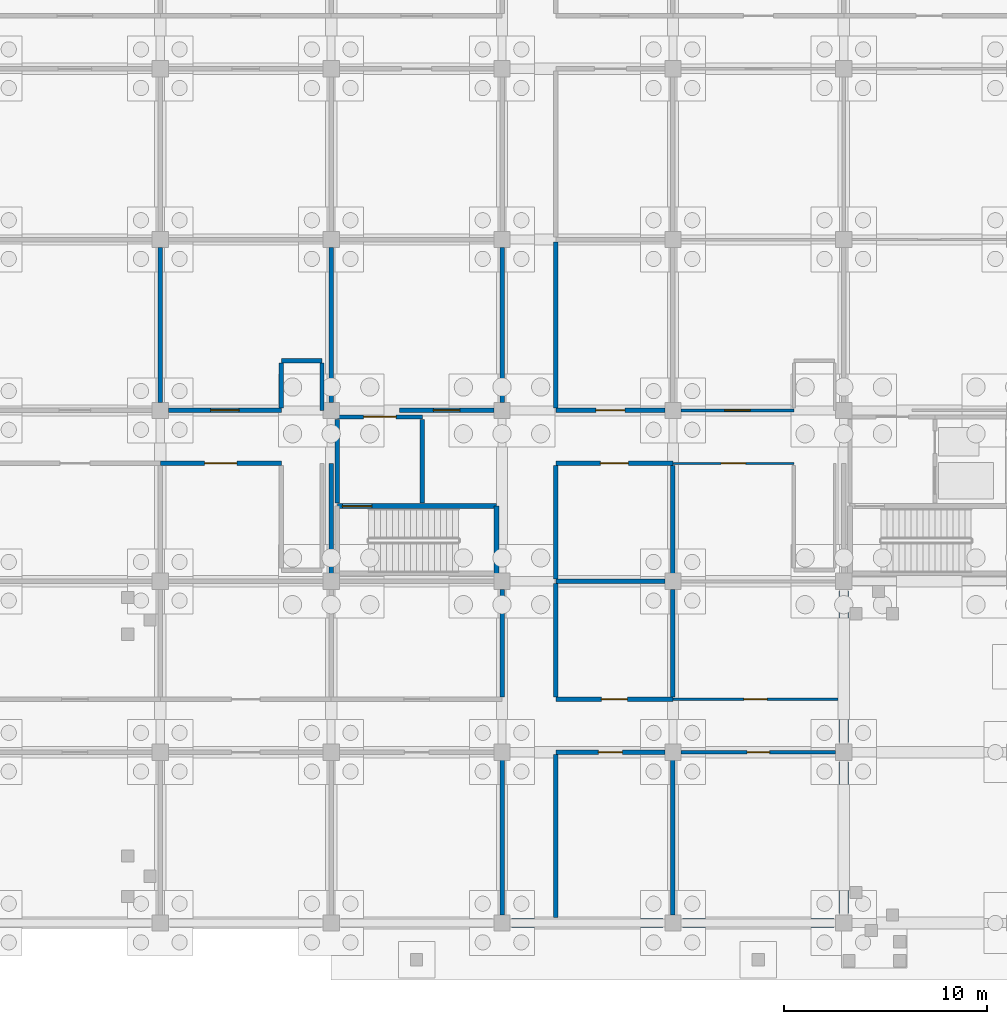
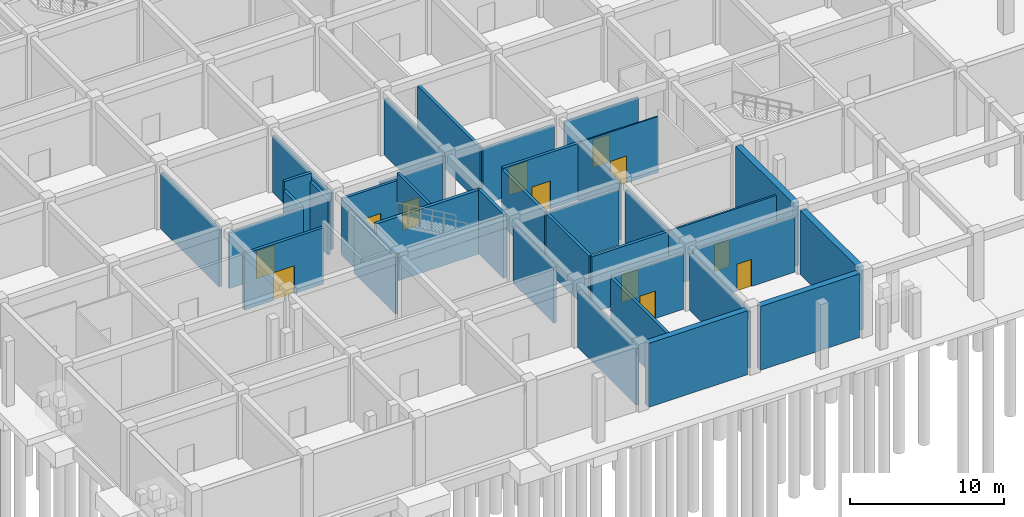
# One storey, part 28 of 65: 37 walls, 13 doors, 13 openings.
"""IFC4 building model written with IfcOpenShell, lengths in metres."""

from ifc_helpers import new_model, si_unit, direction, frame, frame_2d, origin, place, context, subcontext, project, spatial, rectangle, extrude, material, layer, layer_set, type_object, element, fill, save


model = new_model("IFC4")

# Units and contexts
model_context = context("Model", 3, precision=1e-05, world=origin(), true_north=direction((0.0, 1.0)))
body_context = subcontext(model_context, "Body", "Model", "MODEL_VIEW")
ifc_project = project(units=[si_unit("LENGTHUNIT", "METRE"), si_unit("AREAUNIT", "SQUARE_METRE"), si_unit("VOLUMEUNIT", "CUBIC_METRE"), si_unit("PLANEANGLEUNIT", "RADIAN"), si_unit("MASSUNIT", "GRAM", prefix="KILO")], contexts=[model_context])

# Site, building, storey
site_placement = place(None, origin())
site = spatial("IfcSite", under=ifc_project, at=site_placement, CompositionType="ELEMENT")
building_placement = place(site_placement, origin())
building = spatial("IfcBuilding", under=site, at=building_placement, Name="Bramfleet General Hospital", CompositionType="ELEMENT")
storey_placement = place(building_placement, frame((0.0, 0.0, -5.39990234375)))
storey = spatial("IfcBuildingStorey", under=building, at=storey_placement, Name="B1", CompositionType="ELEMENT", Elevation=-5.39990234375)

# Walls
ifc_material_1 = material(Name="Concrete C35/45", Category="concrete")
ifc_layer_1 = layer(ifc_material_1, 0.449951171875, Name="WT-EW-01")
ifc_layer_set_1 = layer_set([ifc_layer_1], Name="Concrete C35/45")
wall_type_1 = type_object("IfcWallType", Name="WT-EW-01", PredefinedType="SOLIDWALL", material=ifc_layer_set_1)
for number, where, z_axis, x_axis, name in (
    (1, (50.39990234375, 16.324951171875, 0.0), (0.0, 0.0, 1.0), (0.0, -1.0, 0.0), "B1 Waterproof Retaining Wall 82"),
    (2, (50.39990234375, 7.925048828125, 0.0), (0.0, 0.0, 1.0), (0.0, -1.0, 0.0), "B1 Waterproof Retaining Wall 83"),
    (3, (49.925048828125, 0.0, 0.0), (0.0, 0.0, 1.0), (-1.0, 0.0, 0.0), "B1 Waterproof Retaining Wall 84"),
    (4, (41.52490234375, 0.0, 0.0), (0.0, 0.0, 1.0), (-1.0, 0.0, 0.0), "B1 Waterproof Retaining Wall 85"),
):
    element("IfcWall", number, at=place(storey_placement, frame(where, z_axis=z_axis, x_axis=x_axis)), inside=storey, type_object=wall_type_1, Name=name, PredefinedType="SOLIDWALL", context=body_context, shape_type="SweptSolid", body=[
        extrude(rectangle(XDim=7.449951171875, YDim=0.449951171875, at=frame_2d((3.72509765625, 0.0))), origin(), (0.0, 0.0, 1.0), 5.079833984375),
    ])

# Wall, opening, door
ifc_layer_2 = layer(ifc_material_1, 0.219970703125, Name="WT-IW-01")
ifc_layer_set_2 = layer_set([ifc_layer_2], Name="Concrete C35/45")
wall_type_2 = type_object("IfcWallType", Name="WT-IW-01", PredefinedType="PARTITIONING", material=ifc_layer_set_2)
wall_1_placement = place(storey_placement, frame((36.25, 8.39990234375, 0.0), z_axis=(0.0, 0.0, 1.0), x_axis=(1.0, 0.0, 0.0)))
wall_1 = element("IfcWall", 5, at=wall_1_placement, inside=storey, type_object=wall_type_2, Name="B1 Interior Partition IW-B1-0005", PredefinedType="PARTITIONING", context=body_context, shape_type="SweptSolid", body=[
    extrude(rectangle(XDim=5.35498046875, YDim=0.219970703125, at=frame_2d((2.677490234375, 0.0))), origin(), (0.0, 0.0, 1.0), 4.419921875),
])
opening_1_placement = place(wall_1_placement, frame((2.08740234375, 0.0, 0.0)))
opening_1 = element("IfcOpeningElement", 6, at=opening_1_placement, cuts=wall_1, Name="Opening D0252", PredefinedType="OPENING", context=body_context, shape_type="SweptSolid", body=[
    extrude(rectangle(XDim=1.179931640625, YDim=2.179931640625, at=frame_2d((0.58984375, 1.08984375))), frame((0.0, 0.119873046875, 0.0), z_axis=(0.0, -1.0, 0.0), x_axis=(1.0, 0.0, 0.0)), (0.0, 0.0, 1.0), 0.239990234375),
])
ifc_material_2 = material(Name="Stainless steel and acoustic timber leaf", Category="steel")
door_type_1 = type_object("IfcDoorType", Name="DR-D-28", OperationType="NOTDEFINED", PredefinedType="DOOR", material=ifc_material_2)
door_1_placement = place(opening_1_placement, origin())
door_1 = element("IfcDoor", 7, at=door_1_placement, inside=storey, type_object=door_type_1, Name="Standby Power Plant and Switchgear B1-0400 Door D0252", OperationType="SINGLE_SWING_LEFT", OverallHeight=2.179931640625, OverallWidth=1.179931640625, PredefinedType="DOOR", context=body_context, shape_type="SweptSolid", body=[
    extrude(rectangle(XDim=1.179931640625, YDim=2.179931640625, at=frame_2d((0.58984375, 1.08984375))), frame((0.0, 0.02490234375, 0.0), z_axis=(0.0, -1.0, 0.0), x_axis=(1.0, 0.0, 0.0)), (0.0, 0.0, 1.0), 0.050048828125),
])
fill(opening_1, door_1)

wall_2_placement = place(storey_placement, frame((36.25, 11.0, 0.0), z_axis=(0.0, 0.0, 1.0), x_axis=(1.0, 0.0, 0.0)))
wall_2 = element("IfcWall", 8, at=wall_2_placement, inside=storey, type_object=wall_type_2, Name="B1 Interior Partition IW-B1-0031", PredefinedType="PARTITIONING", context=body_context, shape_type="SweptSolid", body=[
    extrude(rectangle(XDim=5.75, YDim=0.219970703125, at=frame_2d((2.875, 0.0))), origin(), (0.0, 0.0, 1.0), 4.469970703125),
])
opening_2_placement = place(wall_2_placement, frame((2.235107421875, 0.0, 0.0)))
opening_2 = element("IfcOpeningElement", 9, at=opening_2_placement, cuts=wall_2, Name="Opening D0253", PredefinedType="OPENING", context=body_context, shape_type="SweptSolid", body=[
    extrude(rectangle(XDim=1.280029296875, YDim=2.179931640625, at=frame_2d((0.64013671875, 1.08984375))), frame((0.0, 0.119873046875, 0.0), z_axis=(0.0, -1.0, 0.0), x_axis=(1.0, 0.0, 0.0)), (0.0, 0.0, 1.0), 0.239990234375),
])
door_type_2 = type_object("IfcDoorType", Name="DR-D-29", OperationType="NOTDEFINED", PredefinedType="DOOR", material=ifc_material_2)
door_2_placement = place(opening_2_placement, origin())
door_2 = element("IfcDoor", 10, at=door_2_placement, inside=storey, type_object=door_type_2, Name="Standby Power Plant and Switchgear B1-0401 Door D0253", OperationType="SINGLE_SWING_RIGHT", OverallHeight=2.179931640625, OverallWidth=1.280029296875, PredefinedType="DOOR", context=body_context, shape_type="SweptSolid", body=[
    extrude(rectangle(XDim=1.280029296875, YDim=2.179931640625, at=frame_2d((0.64013671875, 1.08984375))), frame((0.0, 0.02490234375, 0.0), z_axis=(0.0, -1.0, 0.0), x_axis=(1.0, 0.0, 0.0)), (0.0, 0.0, 1.0), 0.050048828125),
])
fill(opening_2, door_2)

# Wall
wall_3_placement = place(storey_placement, frame((36.25, 16.800048828125, 0.0), z_axis=(0.0, 0.0, 1.0), x_axis=(1.0, 0.0, 0.0)))
element("IfcWall", 11, at=wall_3_placement, inside=storey, type_object=wall_type_2, Name="B1 Interior Partition IW-B1-0054", PredefinedType="PARTITIONING", context=body_context, shape_type="SweptSolid", body=[
    extrude(rectangle(XDim=5.35498046875, YDim=0.219970703125, at=frame_2d((2.677490234375, 0.0))), origin(), (0.0, 0.0, 1.0), 4.419921875),
])

# Wall, opening, door
wall_4_placement = place(storey_placement, frame((16.800048828125, 22.60009765625, 0.0), z_axis=(0.0, 0.0, 1.0), x_axis=(1.0, 0.0, 0.0)))
wall_4 = element("IfcWall", 12, at=wall_4_placement, inside=storey, type_object=wall_type_2, Name="B1 Interior Partition IW-B1-0082", PredefinedType="PARTITIONING", context=body_context, shape_type="SweptSolid", body=[
    extrude(rectangle(XDim=5.949951171875, YDim=0.219970703125, at=frame_2d((2.97509765625, 0.0))), origin(), (0.0, 0.0, 1.0), 4.469970703125),
])
opening_3_placement = place(wall_4_placement, frame((2.18505859375, 0.0, 0.0)))
opening_3 = element("IfcOpeningElement", 13, at=opening_3_placement, cuts=wall_4, Name="Opening D0224", PredefinedType="OPENING", context=body_context, shape_type="SweptSolid", body=[
    extrude(rectangle(XDim=1.580078125, YDim=2.219970703125, at=frame_2d((0.7900390625, 1.10986328125))), frame((0.0, 0.119873046875, 0.0), z_axis=(0.0, -1.0, 0.0), x_axis=(1.0, 0.0, 0.0)), (0.0, 0.0, 1.0), 0.239990234375),
])
door_type_3 = type_object("IfcDoorType", Name="DR-D-32", OperationType="NOTDEFINED", PredefinedType="DOOR", material=ifc_material_2)
door_3_placement = place(opening_3_placement, origin())
door_3 = element("IfcDoor", 14, at=door_3_placement, inside=storey, type_object=door_type_3, Name="Standby Power Plant and Switchgear B1-0202 Door D0224", OperationType="DOUBLE_SWING_LEFT", OverallHeight=2.219970703125, OverallWidth=1.580078125, PredefinedType="DOOR", context=body_context, shape_type="SweptSolid", body=[
    extrude(rectangle(XDim=1.580078125, YDim=2.219970703125, at=frame_2d((0.7900390625, 1.10986328125))), frame((0.0, 0.02490234375, 0.0), z_axis=(0.0, -1.0, 0.0), x_axis=(1.0, 0.0, 0.0)), (0.0, 0.0, 1.0), 0.050048828125),
])
fill(opening_3, door_3)

wall_5_placement = place(storey_placement, frame((36.25, 22.60009765625, 0.0), z_axis=(0.0, 0.0, 1.0), x_axis=(1.0, 0.0, 0.0)))
wall_5 = element("IfcWall", 15, at=wall_5_placement, inside=storey, type_object=wall_type_2, Name="B1 Interior Partition IW-B1-0083", PredefinedType="PARTITIONING", context=body_context, shape_type="SweptSolid", body=[
    extrude(rectangle(XDim=5.75, YDim=0.219970703125, at=frame_2d((2.875, 0.0))), origin(), (0.0, 0.0, 1.0), 4.469970703125),
])
opening_4_placement = place(wall_5_placement, frame((2.18505859375, 0.0, 0.0)))
opening_4 = element("IfcOpeningElement", 16, at=opening_4_placement, cuts=wall_5, Name="Opening D0254", PredefinedType="OPENING", context=body_context, shape_type="SweptSolid", body=[
    extrude(rectangle(XDim=1.3798828125, YDim=2.219970703125, at=frame_2d((0.68994140625, 1.10986328125))), frame((0.0, 0.119873046875, 0.0), z_axis=(0.0, -1.0, 0.0), x_axis=(1.0, 0.0, 0.0)), (0.0, 0.0, 1.0), 0.239990234375),
])
door_type_4 = type_object("IfcDoorType", Name="DR-D-30", OperationType="NOTDEFINED", PredefinedType="DOOR", material=ifc_material_2)
door_4_placement = place(opening_4_placement, origin())
door_4 = element("IfcDoor", 17, at=door_4_placement, inside=storey, type_object=door_type_4, Name="Standby Power Plant and Switchgear B1-0402 Door D0254", OperationType="SINGLE_SWING_LEFT", OverallHeight=2.219970703125, OverallWidth=1.3798828125, PredefinedType="DOOR", context=body_context, shape_type="SweptSolid", body=[
    extrude(rectangle(XDim=1.3798828125, YDim=2.219970703125, at=frame_2d((0.68994140625, 1.10986328125))), frame((0.0, 0.02490234375, 0.0), z_axis=(0.0, -1.0, 0.0), x_axis=(1.0, 0.0, 0.0)), (0.0, 0.0, 1.0), 0.050048828125),
])
fill(opening_4, door_4)

wall_6_placement = place(storey_placement, frame((17.195068359375, 25.199951171875, 0.0), z_axis=(0.0, 0.0, 1.0), x_axis=(1.0, 0.0, 0.0)))
wall_6 = element("IfcWall", 18, at=wall_6_placement, inside=storey, type_object=wall_type_2, Name="B1 Interior Partition IW-B1-0102", PredefinedType="PARTITIONING", context=body_context, shape_type="SweptSolid", body=[
    extrude(rectangle(XDim=5.554931640625, YDim=0.219970703125, at=frame_2d((2.77734375, 0.0))), origin(), (0.0, 0.0, 1.0), 4.419921875),
])
opening_5_placement = place(wall_6_placement, frame((2.077392578125, 0.0, 0.0)))
opening_5 = element("IfcOpeningElement", 19, at=opening_5_placement, cuts=wall_6, Name="Opening D0225", PredefinedType="OPENING", context=body_context, shape_type="SweptSolid", body=[
    extrude(rectangle(XDim=1.39990234375, YDim=2.199951171875, at=frame_2d((0.699951171875, 1.10009765625))), frame((0.0, 0.119873046875, 0.0), z_axis=(0.0, -1.0, 0.0), x_axis=(1.0, 0.0, 0.0)), (0.0, 0.0, 1.0), 0.239990234375),
])
door_type_5 = type_object("IfcDoorType", Name="DR-D-01", OperationType="NOTDEFINED", PredefinedType="DOOR", material=ifc_material_2)
door_5_placement = place(opening_5_placement, origin())
door_5 = element("IfcDoor", 20, at=door_5_placement, inside=storey, type_object=door_type_5, Name="Standby Power Plant and Switchgear B1-0203 Door D0225", OperationType="SINGLE_SWING_RIGHT", OverallHeight=2.199951171875, OverallWidth=1.39990234375, PredefinedType="DOOR", context=body_context, shape_type="SweptSolid", body=[
    extrude(rectangle(XDim=1.39990234375, YDim=2.199951171875, at=frame_2d((0.699951171875, 1.10009765625))), frame((0.0, 0.02490234375, 0.0), z_axis=(0.0, -1.0, 0.0), x_axis=(1.0, 0.0, 0.0)), (0.0, 0.0, 1.0), 0.050048828125),
])
fill(opening_5, door_5)

wall_7_placement = place(storey_placement, frame((28.550048828125, 25.199951171875, 0.0), z_axis=(0.0, 0.0, 1.0), x_axis=(1.0, 0.0, 0.0)))
wall_7 = element("IfcWall", 21, at=wall_7_placement, inside=storey, type_object=wall_type_2, Name="B1 Interior Partition IW-B1-0103", PredefinedType="PARTITIONING", context=body_context, shape_type="SweptSolid", body=[
    extrude(rectangle(XDim=4.655029296875, YDim=0.219970703125, at=frame_2d((2.32763671875, 0.0))), origin(), (0.0, 0.0, 1.0), 4.419921875),
])
opening_6_placement = place(wall_7_placement, frame((1.677490234375, 0.0, 0.0)))
opening_6 = element("IfcOpeningElement", 22, at=opening_6_placement, cuts=wall_7, Name="Opening D0239", PredefinedType="OPENING", context=body_context, shape_type="SweptSolid", body=[
    extrude(rectangle(XDim=1.300048828125, YDim=2.199951171875, at=frame_2d((0.64990234375, 1.10009765625))), frame((0.0, 0.119873046875, 0.0), z_axis=(0.0, -1.0, 0.0), x_axis=(1.0, 0.0, 0.0)), (0.0, 0.0, 1.0), 0.239990234375),
])
door_type_6 = type_object("IfcDoorType", Name="DR-D-15", OperationType="NOTDEFINED", PredefinedType="DOOR", material=ifc_material_2)
door_6_placement = place(opening_6_placement, origin())
door_6 = element("IfcDoor", 23, at=door_6_placement, inside=storey, type_object=door_type_6, Name="Standby Power Plant and Switchgear B1-0303 Door D0239", OperationType="SINGLE_SWING_RIGHT", OverallHeight=2.199951171875, OverallWidth=1.300048828125, PredefinedType="DOOR", context=body_context, shape_type="SweptSolid", body=[
    extrude(rectangle(XDim=1.300048828125, YDim=2.199951171875, at=frame_2d((0.64990234375, 1.10009765625))), frame((0.0, 0.02490234375, 0.0), z_axis=(0.0, -1.0, 0.0), x_axis=(1.0, 0.0, 0.0)), (0.0, 0.0, 1.0), 0.050048828125),
])
fill(opening_6, door_6)

wall_8_placement = place(storey_placement, frame((36.25, 25.199951171875, 0.0), z_axis=(0.0, 0.0, 1.0), x_axis=(1.0, 0.0, 0.0)))
wall_8 = element("IfcWall", 24, at=wall_8_placement, inside=storey, type_object=wall_type_2, Name="B1 Interior Partition IW-B1-0104", PredefinedType="PARTITIONING", context=body_context, shape_type="SweptSolid", body=[
    extrude(rectangle(XDim=5.35498046875, YDim=0.219970703125, at=frame_2d((2.677490234375, 0.0))), origin(), (0.0, 0.0, 1.0), 4.419921875),
])
opening_7_placement = place(wall_8_placement, frame((1.967529296875, 0.0, 0.0)))
opening_7 = element("IfcOpeningElement", 25, at=opening_7_placement, cuts=wall_8, Name="Opening D0255", PredefinedType="OPENING", context=body_context, shape_type="SweptSolid", body=[
    extrude(rectangle(XDim=1.419921875, YDim=2.219970703125, at=frame_2d((0.7099609375, 1.10986328125))), frame((0.0, 0.119873046875, 0.0), z_axis=(0.0, -1.0, 0.0), x_axis=(1.0, 0.0, 0.0)), (0.0, 0.0, 1.0), 0.239990234375),
])
door_type_7 = type_object("IfcDoorType", Name="DR-D-31", OperationType="NOTDEFINED", PredefinedType="DOOR", material=ifc_material_2)
door_7_placement = place(opening_7_placement, origin())
door_7 = element("IfcDoor", 26, at=door_7_placement, inside=storey, type_object=door_type_7, Name="Standby Power Plant and Switchgear B1-0403 Door D0255", OperationType="SINGLE_SWING_RIGHT", OverallHeight=2.219970703125, OverallWidth=1.419921875, PredefinedType="DOOR", context=body_context, shape_type="SweptSolid", body=[
    extrude(rectangle(XDim=1.419921875, YDim=2.219970703125, at=frame_2d((0.7099609375, 1.10986328125))), frame((0.0, 0.02490234375, 0.0), z_axis=(0.0, -1.0, 0.0), x_axis=(1.0, 0.0, 0.0)), (0.0, 0.0, 1.0), 0.050048828125),
])
fill(opening_7, door_7)

# Walls
wall_9_placement = place(storey_placement, frame((22.75, 27.64990234375, 0.0), z_axis=(0.0, 0.0, 1.0), x_axis=(1.0, 0.0, 0.0)))
element("IfcWall", 27, at=wall_9_placement, inside=storey, type_object=wall_type_2, Name="B1 Interior Partition IW-B1-0111", PredefinedType="PARTITIONING", context=body_context, shape_type="SweptSolid", body=[
    extrude(rectangle(XDim=2.0, YDim=0.219970703125, at=frame_2d((1.0, 0.0))), origin(), (0.0, 0.0, 1.0), 5.06982421875),
])
wall_10_placement = place(storey_placement, frame((16.800048828125, 25.594970703125, 0.0), z_axis=(0.0, 0.0, 1.0), x_axis=(0.0, 1.0, 0.0)))
element("IfcWall", 28, at=wall_10_placement, inside=storey, type_object=wall_type_2, Name="B1 Interior Partition IW-B1-0350", PredefinedType="PARTITIONING", context=body_context, shape_type="SweptSolid", body=[
    extrude(rectangle(XDim=7.610107421875, YDim=0.219970703125, at=frame_2d((3.80517578125, 0.0))), origin(), (0.0, 0.0, 1.0), 4.469970703125),
])
wall_11_placement = place(storey_placement, frame((22.75, 25.31494140625, 0.0), z_axis=(0.0, 0.0, 1.0), x_axis=(0.0, 1.0, 0.0)))
element("IfcWall", 29, at=wall_11_placement, inside=storey, type_object=wall_type_2, Name="B1 Interior Partition IW-B1-0364", PredefinedType="PARTITIONING", context=body_context, shape_type="SweptSolid", body=[
    extrude(rectangle(XDim=2.219970703125, YDim=0.219970703125, at=frame_2d((1.10986328125, 0.0))), origin(), (0.0, 0.0, 1.0), 4.419921875),
])
wall_12_placement = place(storey_placement, frame((24.75, 25.199951171875, 0.0), z_axis=(0.0, 0.0, 1.0), x_axis=(0.0, 1.0, 0.0)))
element("IfcWall", 30, at=wall_12_placement, inside=storey, type_object=wall_type_2, Name="B1 Interior Partition IW-B1-0366", PredefinedType="PARTITIONING", context=body_context, shape_type="SweptSolid", body=[
    extrude(rectangle(XDim=2.3349609375, YDim=0.219970703125, at=frame_2d((1.16748046875, 0.0))), origin(), (0.0, 0.0, 1.0), 4.419921875),
])
wall_13_placement = place(storey_placement, frame((25.199951171875, 17.195068359375, 0.0), z_axis=(0.0, 0.0, 1.0), x_axis=(0.0, 1.0, 0.0)))
element("IfcWall", 31, at=wall_13_placement, inside=storey, type_object=wall_type_2, Name="B1 Interior Partition IW-B1-0369", PredefinedType="PARTITIONING", context=body_context, shape_type="SweptSolid", body=[
    extrude(rectangle(XDim=5.405029296875, YDim=0.219970703125, at=frame_2d((2.70263671875, 0.0))), origin(), (0.0, 0.0, 1.0), 4.469970703125),
])
wall_14_placement = place(storey_placement, frame((25.199951171875, 25.594970703125, 0.0), z_axis=(0.0, 0.0, 1.0), x_axis=(0.0, 1.0, 0.0)))
element("IfcWall", 32, at=wall_14_placement, inside=storey, type_object=wall_type_2, Name="B1 Interior Partition IW-B1-0370", PredefinedType="PARTITIONING", context=body_context, shape_type="SweptSolid", body=[
    extrude(rectangle(XDim=7.610107421875, YDim=0.219970703125, at=frame_2d((3.80517578125, 0.0))), origin(), (0.0, 0.0, 1.0), 4.469970703125),
])
wall_15_placement = place(storey_placement, frame((33.60009765625, 0.39501953125, 0.0), z_axis=(0.0, 0.0, 1.0), x_axis=(0.0, 1.0, 0.0)))
element("IfcWall", 33, at=wall_15_placement, inside=storey, type_object=wall_type_2, Name="B1 Interior Partition IW-B1-0387", PredefinedType="PARTITIONING", context=body_context, shape_type="SweptSolid", body=[
    extrude(rectangle(XDim=7.60986328125, YDim=0.219970703125, at=frame_2d((3.804931640625, 0.0))), origin(), (0.0, 0.0, 1.0), 4.469970703125),
])
wall_16_placement = place(storey_placement, frame((33.60009765625, 11.114990234375, 0.0), z_axis=(0.0, 0.0, 1.0), x_axis=(0.0, 1.0, 0.0)))
element("IfcWall", 34, at=wall_16_placement, inside=storey, type_object=wall_type_2, Name="B1 Interior Partition IW-B1-0388", PredefinedType="PARTITIONING", context=body_context, shape_type="SweptSolid", body=[
    extrude(rectangle(XDim=5.2900390625, YDim=0.219970703125, at=frame_2d((2.64501953125, 0.0))), origin(), (0.0, 0.0, 1.0), 4.469970703125),
])
wall_17_placement = place(storey_placement, frame((33.60009765625, 25.594970703125, 0.0), z_axis=(0.0, 0.0, 1.0), x_axis=(0.0, 1.0, 0.0)))
element("IfcWall", 35, at=wall_17_placement, inside=storey, type_object=wall_type_2, Name="B1 Interior Partition IW-B1-0389", PredefinedType="PARTITIONING", context=body_context, shape_type="SweptSolid", body=[
    extrude(rectangle(XDim=7.610107421875, YDim=0.219970703125, at=frame_2d((3.80517578125, 0.0))), origin(), (0.0, 0.0, 1.0), 4.469970703125),
])
wall_18_placement = place(storey_placement, frame((36.25, 0.280029296875, 0.0), z_axis=(0.0, 0.0, 1.0), x_axis=(0.0, 1.0, 0.0)))
element("IfcWall", 36, at=wall_18_placement, inside=storey, type_object=wall_type_2, Name="B1 Interior Partition IW-B1-0401", PredefinedType="PARTITIONING", context=body_context, shape_type="SweptSolid", body=[
    extrude(rectangle(XDim=8.0048828125, YDim=0.219970703125, at=frame_2d((4.00244140625, 0.0))), origin(), (0.0, 0.0, 1.0), 4.419921875),
])
for number, where, z_axis, x_axis, name in (
    (37, (36.25, 11.114990234375, 0.0), (0.0, 0.0, 1.0), (0.0, 1.0, 0.0), "B1 Interior Partition IW-B1-0402"),
    (38, (36.25, 16.9150390625, 0.0), (0.0, 0.0, 1.0), (0.0, 1.0, 0.0), "B1 Interior Partition IW-B1-0403"),
):
    element("IfcWall", number, at=place(storey_placement, frame(where, z_axis=z_axis, x_axis=x_axis)), inside=storey, type_object=wall_type_2, Name=name, PredefinedType="PARTITIONING", context=body_context, shape_type="SweptSolid", body=[
        extrude(rectangle(XDim=5.570068359375, YDim=0.219970703125, at=frame_2d((2.78515625, 0.0))), origin(), (0.0, 0.0, 1.0), 4.419921875),
    ])
wall_19_placement = place(storey_placement, frame((36.25, 25.31494140625, 0.0), z_axis=(0.0, 0.0, 1.0), x_axis=(0.0, 1.0, 0.0)))
element("IfcWall", 39, at=wall_19_placement, inside=storey, type_object=wall_type_2, Name="B1 Interior Partition IW-B1-0404", PredefinedType="PARTITIONING", context=body_context, shape_type="SweptSolid", body=[
    extrude(rectangle(XDim=8.170166015625, YDim=0.219970703125, at=frame_2d((4.0849609375, 0.0))), origin(), (0.0, 0.0, 1.0), 4.419921875),
])
wall_20_placement = place(storey_placement, frame((42.0, 0.39501953125, 0.0), z_axis=(0.0, 0.0, 1.0), x_axis=(0.0, 1.0, 0.0)))
element("IfcWall", 40, at=wall_20_placement, inside=storey, type_object=wall_type_2, Name="B1 Interior Partition IW-B1-0415", PredefinedType="PARTITIONING", context=body_context, shape_type="SweptSolid", body=[
    extrude(rectangle(XDim=7.60986328125, YDim=0.219970703125, at=frame_2d((3.804931640625, 0.0))), origin(), (0.0, 0.0, 1.0), 4.469970703125),
])
for number, where, z_axis, x_axis, name in (
    (41, (42.0, 11.114990234375, 0.0), (0.0, 0.0, 1.0), (0.0, 1.0, 0.0), "B1 Interior Partition IW-B1-0416"),
    (42, (42.0, 17.195068359375, 0.0), (0.0, 0.0, 1.0), (0.0, 1.0, 0.0), "B1 Interior Partition IW-B1-0417"),
):
    element("IfcWall", number, at=place(storey_placement, frame(where, z_axis=z_axis, x_axis=x_axis)), inside=storey, type_object=wall_type_2, Name=name, PredefinedType="PARTITIONING", context=body_context, shape_type="SweptSolid", body=[
        extrude(rectangle(XDim=5.2900390625, YDim=0.219970703125, at=frame_2d((2.64501953125, 0.0))), origin(), (0.0, 0.0, 1.0), 4.469970703125),
    ])
ifc_layer_3 = layer(ifc_material_1, 0.205078125, Name="WT-IW-02")
ifc_layer_set_3 = layer_set([ifc_layer_3], Name="Concrete C35/45")
wall_type_3 = type_object("IfcWallType", Name="WT-IW-02", PredefinedType="PARTITIONING", material=ifc_layer_set_3)
wall_21_placement = place(storey_placement, frame((29.679931640625, 20.639892578125, 0.0), z_axis=(0.0, 0.0, 1.0), x_axis=(0.0, 1.0, 0.0)))
element("IfcWall", 43, at=wall_21_placement, inside=storey, type_object=wall_type_3, Name="B1 C7 Lobby East Shaft Wall", PredefinedType="PARTITIONING", context=body_context, shape_type="SweptSolid", body=[
    extrude(rectangle(XDim=4.1201171875, YDim=0.205078125, at=frame_2d((2.06005859375, 0.0))), origin(), (0.0, 0.0, 1.0), 5.06982421875),
])
wall_22_placement = place(storey_placement, frame((25.5, 20.639892578125, 0.0), z_axis=(0.0, 0.0, 1.0), x_axis=(0.0, 1.0, 0.0)))
element("IfcWall", 44, at=wall_22_placement, inside=storey, type_object=wall_type_3, Name="B1 C7 Lobby West Compartment Wall", PredefinedType="PARTITIONING", context=body_context, shape_type="SweptSolid", body=[
    extrude(rectangle(XDim=4.1201171875, YDim=0.205078125, at=frame_2d((2.06005859375, 0.0))), origin(), (0.0, 0.0, 1.0), 4.469970703125),
])

# Wall, opening, door
wall_23_placement = place(storey_placement, frame((25.5, 24.8798828125, 0.0), z_axis=(0.0, 0.0, 1.0), x_axis=(1.0, 0.0, 0.0)))
wall_23 = element("IfcWall", 45, at=wall_23_placement, inside=storey, type_object=wall_type_3, Name="B1 C7 Lobby North Compartment Wall", PredefinedType="PARTITIONING", context=body_context, shape_type="SweptSolid", body=[
    extrude(rectangle(XDim=4.179931640625, YDim=0.205078125, at=frame_2d((2.08984375, 0.0))), origin(), (0.0, 0.0, 1.0), 4.419921875),
])
opening_8_placement = place(wall_23_placement, frame((1.2900390625, 0.0, 0.0)))
opening_8 = element("IfcOpeningElement", 46, at=opening_8_placement, cuts=wall_23, Name="Opening D0092", PredefinedType="OPENING", context=body_context, shape_type="SweptSolid", body=[
    extrude(rectangle(XDim=1.60009765625, YDim=2.25, at=frame_2d((0.800048828125, 1.125))), frame((0.0, 0.112548828125, 0.0), z_axis=(0.0, -1.0, 0.0), x_axis=(1.0, 0.0, 0.0)), (0.0, 0.0, 1.0), 0.22509765625),
])
door_type_8 = type_object("IfcDoorType", Name="DR-D-04", OperationType="NOTDEFINED", PredefinedType="DOOR", material=ifc_material_2)
door_8_placement = place(opening_8_placement, origin())
door_8 = element("IfcDoor", 47, at=door_8_placement, inside=storey, type_object=door_type_8, Name="B1 C7 Lobby Fire Door D0092", OperationType="DOUBLE_SWING_LEFT", OverallHeight=2.25, OverallWidth=1.60009765625, PredefinedType="DOOR", context=body_context, shape_type="SweptSolid", body=[
    extrude(rectangle(XDim=1.60009765625, YDim=2.25, at=frame_2d((0.800048828125, 1.125))), frame((0.0, 0.02490234375, 0.0), z_axis=(0.0, -1.0, 0.0), x_axis=(1.0, 0.0, 0.0)), (0.0, 0.0, 1.0), 0.050048828125),
])
fill(opening_8, door_8)

ifc_material_3 = material(Name="Gypsum plasterboard on acoustic steel studs", Category="steel")
ifc_layer_4 = layer(ifc_material_3, 0.159912109375, Name="WT-IW-06")
ifc_layer_set_4 = layer_set([ifc_layer_4], Name="Gypsum plasterboard on acoustic steel studs")
wall_type_4 = type_object("IfcWallType", Name="WT-IW-06", PredefinedType="PARTITIONING", material=ifc_layer_set_4)
wall_24_placement = place(storey_placement, frame((42.39501953125, 8.39990234375, 0.0), z_axis=(0.0, 0.0, 1.0), x_axis=(1.0, 0.0, 0.0)))
wall_24 = element("IfcWall", 48, at=wall_24_placement, inside=storey, type_object=wall_type_4, Name="B1 Interior Partition IW-B1-0006", PredefinedType="PARTITIONING", context=body_context, shape_type="SweptSolid", body=[
    extrude(rectangle(XDim=7.60986328125, YDim=0.159912109375, at=frame_2d((3.804931640625, 0.0))), origin(), (0.0, 0.0, 1.0), 4.419921875),
])
opening_9_placement = place(wall_24_placement, frame((3.2548828125, 0.0, 0.0)))
opening_9 = element("IfcOpeningElement", 49, at=opening_9_placement, cuts=wall_24, Name="Opening D0267", PredefinedType="OPENING", context=body_context, shape_type="SweptSolid", body=[
    extrude(rectangle(XDim=1.10009765625, YDim=2.14990234375, at=frame_2d((0.550048828125, 1.074951171875))), frame((0.0, 0.08984375, 0.0), z_axis=(0.0, -1.0, 0.0), x_axis=(1.0, 0.0, 0.0)), (0.0, 0.0, 1.0), 0.179931640625),
])
door_type_9 = type_object("IfcDoorType", Name="DR-D-11", OperationType="NOTDEFINED", PredefinedType="DOOR", material=ifc_material_2)
door_9_placement = place(opening_9_placement, origin())
door_9 = element("IfcDoor", 50, at=door_9_placement, inside=storey, type_object=door_type_9, Name="Hospital Pharmacy Clean Preparation B1-0500 Door D0267", OperationType="SINGLE_SWING_RIGHT", OverallHeight=2.14990234375, OverallWidth=1.10009765625, PredefinedType="DOOR", context=body_context, shape_type="SweptSolid", body=[
    extrude(rectangle(XDim=1.10009765625, YDim=2.14990234375, at=frame_2d((0.550048828125, 1.074951171875))), frame((0.0, 0.02490234375, 0.0), z_axis=(0.0, -1.0, 0.0), x_axis=(1.0, 0.0, 0.0)), (0.0, 0.0, 1.0), 0.050048828125),
])
fill(opening_9, door_9)

ifc_layer_5 = layer(ifc_material_3, 0.139892578125, Name="WT-IW-08")
ifc_layer_set_5 = layer_set([ifc_layer_5], Name="Gypsum plasterboard on acoustic steel studs")
wall_type_5 = type_object("IfcWallType", Name="WT-IW-08", PredefinedType="PARTITIONING", material=ifc_layer_set_5)
wall_25_placement = place(storey_placement, frame((42.0, 11.0, 0.0), z_axis=(0.0, 0.0, 1.0), x_axis=(1.0, 0.0, 0.0)))
wall_25 = element("IfcWall", 51, at=wall_25_placement, inside=storey, type_object=wall_type_5, Name="B1 Interior Partition IW-B1-0032", PredefinedType="PARTITIONING", context=body_context, shape_type="SweptSolid", body=[
    extrude(rectangle(XDim=8.1201171875, YDim=0.139892578125, at=frame_2d((4.06005859375, 0.0))), origin(), (0.0, 0.0, 1.0), 4.469970703125),
])
opening_10_placement = place(wall_25_placement, frame((3.485107421875, 0.0, 0.0)))
opening_10 = element("IfcOpeningElement", 52, at=opening_10_placement, cuts=wall_25, Name="Opening D0268", PredefinedType="OPENING", context=body_context, shape_type="SweptSolid", body=[
    extrude(rectangle(XDim=1.14990234375, YDim=2.14990234375, at=frame_2d((0.574951171875, 1.074951171875))), frame((0.0, 0.079833984375, 0.0), z_axis=(0.0, -1.0, 0.0), x_axis=(1.0, 0.0, 0.0)), (0.0, 0.0, 1.0), 0.159912109375),
])
door_type_10 = type_object("IfcDoorType", Name="DR-D-12", OperationType="NOTDEFINED", PredefinedType="DOOR", material=ifc_material_2)
door_10_placement = place(opening_10_placement, origin())
door_10 = element("IfcDoor", 53, at=door_10_placement, inside=storey, type_object=door_type_10, Name="Hospital Pharmacy Clean Preparation B1-0501 Door D0268", OperationType="SINGLE_SWING_LEFT", OverallHeight=2.14990234375, OverallWidth=1.14990234375, PredefinedType="DOOR", context=body_context, shape_type="SweptSolid", body=[
    extrude(rectangle(XDim=1.14990234375, YDim=2.14990234375, at=frame_2d((0.574951171875, 1.074951171875))), frame((0.0, 0.02490234375, 0.0), z_axis=(0.0, -1.0, 0.0), x_axis=(1.0, 0.0, 0.0)), (0.0, 0.0, 1.0), 0.050048828125),
])
fill(opening_10, door_10)

ifc_layer_6 = layer(ifc_material_3, 0.1298828125, Name="WT-IW-09")
ifc_layer_set_6 = layer_set([ifc_layer_6], Name="Gypsum plasterboard on acoustic steel studs")
wall_type_6 = type_object("IfcWallType", Name="WT-IW-09", PredefinedType="PARTITIONING", material=ifc_layer_set_6)
wall_26_placement = place(storey_placement, frame((42.39501953125, 25.199951171875, 0.0), z_axis=(0.0, 0.0, 1.0), x_axis=(1.0, 0.0, 0.0)))
wall_26 = element("IfcWall", 54, at=wall_26_placement, inside=storey, type_object=wall_type_6, Name="B1 Interior Partition IW-B1-0105", PredefinedType="PARTITIONING", context=body_context, shape_type="SweptSolid", body=[
    extrude(rectangle(XDim=5.554931640625, YDim=0.1298828125, at=frame_2d((2.77734375, 0.0))), origin(), (0.0, 0.0, 1.0), 4.419921875),
])
opening_11_placement = place(wall_26_placement, frame((2.152587890625, 0.0, 0.0)))
opening_11 = element("IfcOpeningElement", 55, at=opening_11_placement, cuts=wall_26, Name="Opening D0270", PredefinedType="OPENING", context=body_context, shape_type="SweptSolid", body=[
    extrude(rectangle(XDim=1.25, YDim=2.199951171875, at=frame_2d((0.625, 1.10009765625))), frame((0.0, 0.074951171875, 0.0), z_axis=(0.0, -1.0, 0.0), x_axis=(1.0, 0.0, 0.0)), (0.0, 0.0, 1.0), 0.14990234375),
])
door_type_11 = type_object("IfcDoorType", Name="DR-D-14", OperationType="NOTDEFINED", PredefinedType="DOOR", material=ifc_material_2)
door_11_placement = place(opening_11_placement, origin())
door_11 = element("IfcDoor", 56, at=door_11_placement, inside=storey, type_object=door_type_11, Name="Hospital Pharmacy Clean Preparation B1-0503 Door D0270", OperationType="SINGLE_SWING_LEFT", OverallHeight=2.199951171875, OverallWidth=1.25, PredefinedType="DOOR", context=body_context, shape_type="SweptSolid", body=[
    extrude(rectangle(XDim=1.25, YDim=2.199951171875, at=frame_2d((0.625, 1.10009765625))), frame((0.0, 0.02490234375, 0.0), z_axis=(0.0, -1.0, 0.0), x_axis=(1.0, 0.0, 0.0)), (0.0, 0.0, 1.0), 0.050048828125),
])
fill(opening_11, door_11)

ifc_layer_7 = layer(ifc_material_3, 0.10009765625, Name="WT-IW-12")
ifc_layer_set_7 = layer_set([ifc_layer_7], Name="Gypsum plasterboard on acoustic steel studs")
wall_type_7 = type_object("IfcWallType", Name="WT-IW-12", PredefinedType="PARTITIONING", material=ifc_layer_set_7)
wall_27_placement = place(storey_placement, frame((42.0, 22.60009765625, 0.0), z_axis=(0.0, 0.0, 1.0), x_axis=(1.0, 0.0, 0.0)))
wall_27 = element("IfcWall", 57, at=wall_27_placement, inside=storey, type_object=wall_type_7, Name="B1 Interior Partition IW-B1-0084", PredefinedType="PARTITIONING", context=body_context, shape_type="SweptSolid", body=[
    extrude(rectangle(XDim=5.949951171875, YDim=0.10009765625, at=frame_2d((2.97509765625, 0.0))), origin(), (0.0, 0.0, 1.0), 4.469970703125),
])
opening_12_placement = place(wall_27_placement, frame((2.375, 0.0, 0.0)))
opening_12 = element("IfcOpeningElement", 58, at=opening_12_placement, cuts=wall_27, Name="Opening D0269", PredefinedType="OPENING", context=body_context, shape_type="SweptSolid", body=[
    extrude(rectangle(XDim=1.199951171875, YDim=2.14990234375, at=frame_2d((0.60009765625, 1.074951171875))), frame((0.0, 0.06005859375, 0.0), z_axis=(0.0, -1.0, 0.0), x_axis=(1.0, 0.0, 0.0)), (0.0, 0.0, 1.0), 0.1201171875),
])
door_type_12 = type_object("IfcDoorType", Name="DR-D-13", OperationType="NOTDEFINED", PredefinedType="DOOR", material=ifc_material_2)
door_12_placement = place(opening_12_placement, origin())
door_12 = element("IfcDoor", 59, at=door_12_placement, inside=storey, type_object=door_type_12, Name="Hospital Pharmacy Clean Preparation B1-0502 Door D0269", OperationType="SINGLE_SWING_RIGHT", OverallHeight=2.14990234375, OverallWidth=1.199951171875, PredefinedType="DOOR", context=body_context, shape_type="SweptSolid", body=[
    extrude(rectangle(XDim=1.199951171875, YDim=2.14990234375, at=frame_2d((0.60009765625, 1.074951171875))), frame((0.0, 0.02490234375, 0.0), z_axis=(0.0, -1.0, 0.0), x_axis=(1.0, 0.0, 0.0)), (0.0, 0.0, 1.0), 0.050048828125),
])
fill(opening_12, door_12)

# Wall
ifc_material_4 = material(Name="Concrete C40/50", Category="concrete")
ifc_layer_8 = layer(ifc_material_4, 0.239990234375, Name="WT-SW-240")
ifc_layer_set_8 = layer_set([ifc_layer_8], Name="Concrete C40/50")
wall_type_8 = type_object("IfcWallType", Name="WT-SW-240", PredefinedType="SHEAR", material=ifc_layer_set_8)
wall_28_placement = place(storey_placement, frame((33.320068359375, 17.179931640625, 0.0), z_axis=(0.0, 0.0, 1.0), x_axis=(0.0, 1.0, 0.0)))
element("IfcWall", 60, at=wall_28_placement, inside=storey, type_object=wall_type_8, Name="B1 C7 East Stair Shear Wall", PredefinedType="SHEAR", context=body_context, shape_type="SweptSolid", body=[
    extrude(rectangle(XDim=3.320068359375, YDim=0.239990234375, at=frame_2d((1.66015625, 0.0))), origin(), (0.0, 0.0, 1.0), 5.079833984375),
])

# Wall, opening, door
wall_29_placement = place(storey_placement, frame((25.5, 20.5, 0.0), z_axis=(0.0, 0.0, 1.0), x_axis=(1.0, 0.0, 0.0)))
wall_29 = element("IfcWall", 61, at=wall_29_placement, inside=storey, type_object=wall_type_8, Name="B1 C7 Stair-Lobby Shear Wall", PredefinedType="SHEAR", context=body_context, shape_type="SweptSolid", body=[
    extrude(rectangle(XDim=7.820068359375, YDim=0.239990234375, at=frame_2d((3.91015625, 0.0))), origin(), (0.0, 0.0, 1.0), 5.079833984375),
])
opening_13_placement = place(wall_29_placement, frame((0.25, 0.0, 0.0)))
opening_13 = element("IfcOpeningElement", 62, at=opening_13_placement, cuts=wall_29, Name="Opening D0091", PredefinedType="OPENING", context=body_context, shape_type="SweptSolid", body=[
    extrude(rectangle(XDim=1.449951171875, YDim=2.199951171875, at=frame_2d((0.72509765625, 1.10009765625))), frame((0.0, 0.1298828125, 0.0), z_axis=(0.0, -1.0, 0.0), x_axis=(1.0, 0.0, 0.0)), (0.0, 0.0, 1.0), 0.260009765625),
])
door_type_13 = type_object("IfcDoorType", Name="DR-D-03", OperationType="NOTDEFINED", PredefinedType="DOOR", material=ifc_material_2)
door_13_placement = place(opening_13_placement, origin())
door_13 = element("IfcDoor", 63, at=door_13_placement, inside=storey, type_object=door_type_13, Name="B1 C7 Escape Stair Fire Door D0091", OperationType="SINGLE_SWING_RIGHT", OverallHeight=2.199951171875, OverallWidth=1.449951171875, PredefinedType="DOOR", context=body_context, shape_type="SweptSolid", body=[
    extrude(rectangle(XDim=1.449951171875, YDim=2.199951171875, at=frame_2d((0.72509765625, 1.10009765625))), frame((0.0, 0.02490234375, 0.0), z_axis=(0.0, -1.0, 0.0), x_axis=(1.0, 0.0, 0.0)), (0.0, 0.0, 1.0), 0.050048828125),
])
fill(opening_13, door_13)

save(model, "model.ifc")
